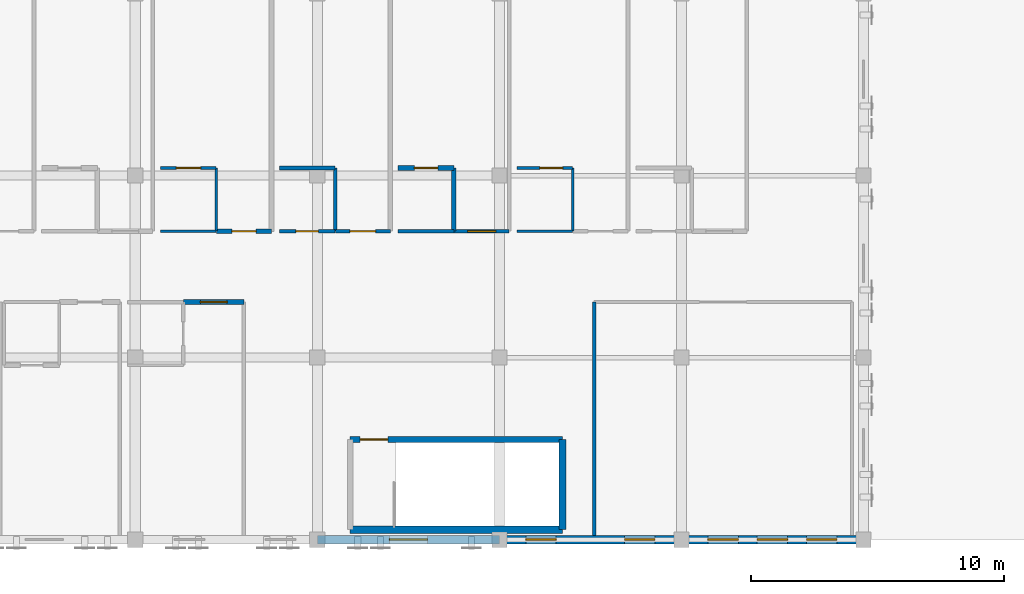
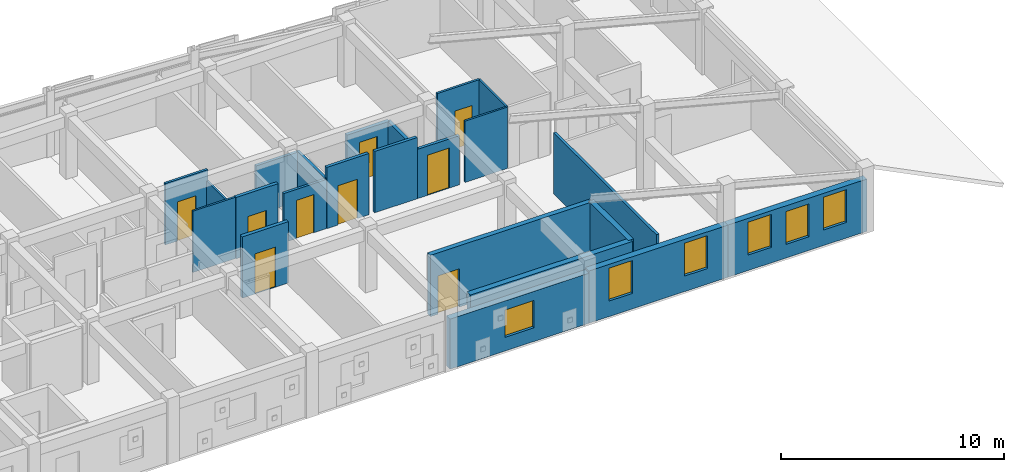
# One storey, part 40 of 45: 23 walls, 9 doors, 6 windows, 15 openings.
"""IFC4 building model written with IfcOpenShell, lengths in metres."""

from ifc_helpers import new_model, si_unit, direction, frame, frame_2d, origin, place, context, subcontext, project, spatial, rectangle, extrude, material, layer, layer_set, type_object, element, fill, save


model = new_model("IFC4")

# Units and contexts
model_context = context("Model", 3, precision=1e-05, world=origin(), true_north=direction((0.0, 1.0)))
body_context = subcontext(model_context, "Body", "Model", "MODEL_VIEW")
ifc_project = project(units=[si_unit("LENGTHUNIT", "METRE"), si_unit("AREAUNIT", "SQUARE_METRE"), si_unit("VOLUMEUNIT", "CUBIC_METRE"), si_unit("PLANEANGLEUNIT", "RADIAN"), si_unit("MASSUNIT", "GRAM", prefix="KILO")], contexts=[model_context])

# Site, building, storey
site_placement = place(None, origin())
site = spatial("IfcSite", under=ifc_project, at=site_placement, CompositionType="ELEMENT")
building_placement = place(site_placement, origin())
building = spatial("IfcBuilding", under=site, at=building_placement, Name="Carrowvane Square Congress Hotel", CompositionType="ELEMENT")
storey_placement = place(building_placement, frame((0.0, 0.0, 33.60009765625)))
storey = spatial("IfcBuildingStorey", under=building, at=storey_placement, Name="L08", CompositionType="ELEMENT", Elevation=33.60009765625)

# Wall, openings, windows
ifc_material_1 = material(Name="Glazed terracotta rainscreen", Category="masonry")
ifc_layer_1 = layer(ifc_material_1, 0.330078125)
ifc_layer_set_1 = layer_set([ifc_layer_1], Name="Glazed terracotta rainscreen")
wall_type_1 = type_object("IfcWallType", Name="WL-EXT-TC330", PredefinedType="STANDARD", material=ifc_layer_set_1)
wall_1_placement = place(storey_placement, frame((155.60009765625, 91.800048828125, 0.0), z_axis=(0.0, 0.0, 1.0), x_axis=(-1.0, 0.0, 0.0)))
wall_1 = element("IfcWall", 1, at=wall_1_placement, inside=storey, type_object=wall_type_1, Name="L08 exterior facade wall 540", PredefinedType="STANDARD", context=body_context, shape_type="SweptSolid", body=[
    extrude(rectangle(XDim=7.2001953125, YDim=0.330078125, at=frame_2d((3.60009765625, 0.0))), origin(), (0.0, 0.0, 1.0), 2.860107421875),
])
opening_1_placement = place(wall_1_placement, frame((3.0, 0.0, 0.75)))
opening_1 = element("IfcOpeningElement", 2, at=opening_1_placement, cuts=wall_1, Name="Opening W-01", PredefinedType="OPENING", context=body_context, shape_type="SweptSolid", body=[
    extrude(rectangle(XDim=1.199951171875, YDim=1.800048828125, at=frame_2d((0.60009765625, 0.89990234375))), frame((0.0, 0.175048828125, 0.0), z_axis=(0.0, -1.0, 0.0), x_axis=(1.0, 0.0, 0.0)), (0.0, 0.0, 1.0), 0.35009765625),
])
opening_2_placement = place(wall_1_placement, frame((1.050048828125, 0.0, 0.85009765625)))
opening_2 = element("IfcOpeningElement", 3, at=opening_2_placement, cuts=wall_1, Name="Opening W-01", PredefinedType="OPENING", context=body_context, shape_type="SweptSolid", body=[
    extrude(rectangle(XDim=1.199951171875, YDim=1.800048828125, at=frame_2d((0.60009765625, 0.89990234375))), frame((0.0, 0.175048828125, 0.0), z_axis=(0.0, -1.0, 0.0), x_axis=(1.0, 0.0, 0.0)), (0.0, 0.0, 1.0), 0.35009765625),
])
opening_3_placement = place(wall_1_placement, frame((4.949951171875, 0.0, 0.85009765625)))
opening_3 = element("IfcOpeningElement", 4, at=opening_3_placement, cuts=wall_1, Name="Opening W-01", PredefinedType="OPENING", context=body_context, shape_type="SweptSolid", body=[
    extrude(rectangle(XDim=1.199951171875, YDim=1.800048828125, at=frame_2d((0.60009765625, 0.89990234375))), frame((0.0, 0.175048828125, 0.0), z_axis=(0.0, -1.0, 0.0), x_axis=(1.0, 0.0, 0.0)), (0.0, 0.0, 1.0), 0.35009765625),
])
ifc_material_2 = material(Name="Double-glazed low-E glass", Category="glass")
window_type_1 = type_object("IfcWindowType", Name="WIN-01", PartitioningType="SINGLE_PANEL", PredefinedType="WINDOW", material=ifc_material_2)
window_1_placement = place(opening_1_placement, origin())
window_1 = element("IfcWindow", 5, at=window_1_placement, inside=storey, type_object=window_type_1, Name="L08 facade window 377", OverallHeight=1.800048828125, OverallWidth=1.199951171875, PartitioningType="SINGLE_PANEL", PredefinedType="WINDOW", context=body_context, shape_type="SweptSolid", body=[
    extrude(rectangle(XDim=1.199951171875, YDim=1.800048828125, at=frame_2d((0.60009765625, 0.89990234375))), frame((0.0, 0.030029296875, 0.0), z_axis=(0.0, -1.0, 0.0), x_axis=(1.0, 0.0, 0.0)), (0.0, 0.0, 1.0), 0.06005859375),
])
fill(opening_1, window_1)
window_2_placement = place(opening_2_placement, origin())
window_2 = element("IfcWindow", 6, at=window_2_placement, inside=storey, type_object=window_type_1, Name="L08 guest bedroom window 378", OverallHeight=1.800048828125, OverallWidth=1.199951171875, PartitioningType="SINGLE_PANEL", PredefinedType="WINDOW", context=body_context, shape_type="SweptSolid", body=[
    extrude(rectangle(XDim=1.199951171875, YDim=1.800048828125, at=frame_2d((0.60009765625, 0.89990234375))), frame((0.0, 0.030029296875, 0.0), z_axis=(0.0, -1.0, 0.0), x_axis=(1.0, 0.0, 0.0)), (0.0, 0.0, 1.0), 0.06005859375),
])
fill(opening_2, window_2)
window_3_placement = place(opening_3_placement, origin())
window_3 = element("IfcWindow", 7, at=window_3_placement, inside=storey, type_object=window_type_1, Name="L08 guest bedroom window 379", OverallHeight=1.800048828125, OverallWidth=1.199951171875, PartitioningType="SINGLE_PANEL", PredefinedType="WINDOW", context=body_context, shape_type="SweptSolid", body=[
    extrude(rectangle(XDim=1.199951171875, YDim=1.800048828125, at=frame_2d((0.60009765625, 0.89990234375))), frame((0.0, 0.030029296875, 0.0), z_axis=(0.0, -1.0, 0.0), x_axis=(1.0, 0.0, 0.0)), (0.0, 0.0, 1.0), 0.06005859375),
])
fill(opening_3, window_3)

wall_2_placement = place(storey_placement, frame((148.39990234375, 91.800048828125, 0.0), z_axis=(0.0, 0.0, 1.0), x_axis=(-1.0, 0.0, 0.0)))
wall_2 = element("IfcWall", 8, at=wall_2_placement, inside=storey, type_object=wall_type_1, Name="L08 exterior facade wall 541", PredefinedType="STANDARD", context=body_context, shape_type="SweptSolid", body=[
    extrude(rectangle(XDim=7.199951171875, YDim=0.330078125, at=frame_2d((3.60009765625, 0.0))), origin(), (0.0, 0.0, 1.0), 2.860107421875),
])
opening_4_placement = place(wall_2_placement, frame((1.050048828125, 0.0, 0.85009765625)))
opening_4 = element("IfcOpeningElement", 9, at=opening_4_placement, cuts=wall_2, Name="Opening W-01", PredefinedType="OPENING", context=body_context, shape_type="SweptSolid", body=[
    extrude(rectangle(XDim=1.199951171875, YDim=1.800048828125, at=frame_2d((0.60009765625, 0.89990234375))), frame((0.0, 0.175048828125, 0.0), z_axis=(0.0, -1.0, 0.0), x_axis=(1.0, 0.0, 0.0)), (0.0, 0.0, 1.0), 0.35009765625),
])
opening_5_placement = place(wall_2_placement, frame((4.949951171875, 0.0, 0.85009765625)))
opening_5 = element("IfcOpeningElement", 10, at=opening_5_placement, cuts=wall_2, Name="Opening W-01", PredefinedType="OPENING", context=body_context, shape_type="SweptSolid", body=[
    extrude(rectangle(XDim=1.199951171875, YDim=1.800048828125, at=frame_2d((0.60009765625, 0.89990234375))), frame((0.0, 0.175048828125, 0.0), z_axis=(0.0, -1.0, 0.0), x_axis=(1.0, 0.0, 0.0)), (0.0, 0.0, 1.0), 0.35009765625),
])
window_4_placement = place(opening_4_placement, origin())
window_4 = element("IfcWindow", 11, at=window_4_placement, inside=storey, type_object=window_type_1, Name="L08 guest bedroom window 381", OverallHeight=1.800048828125, OverallWidth=1.199951171875, PartitioningType="SINGLE_PANEL", PredefinedType="WINDOW", context=body_context, shape_type="SweptSolid", body=[
    extrude(rectangle(XDim=1.199951171875, YDim=1.800048828125, at=frame_2d((0.60009765625, 0.89990234375))), frame((0.0, 0.030029296875, 0.0), z_axis=(0.0, -1.0, 0.0), x_axis=(1.0, 0.0, 0.0)), (0.0, 0.0, 1.0), 0.06005859375),
])
fill(opening_4, window_4)
window_5_placement = place(opening_5_placement, origin())
window_5 = element("IfcWindow", 12, at=window_5_placement, inside=storey, type_object=window_type_1, Name="L08 guest bedroom window 382", OverallHeight=1.800048828125, OverallWidth=1.199951171875, PartitioningType="SINGLE_PANEL", PredefinedType="WINDOW", context=body_context, shape_type="SweptSolid", body=[
    extrude(rectangle(XDim=1.199951171875, YDim=1.800048828125, at=frame_2d((0.60009765625, 0.89990234375))), frame((0.0, 0.030029296875, 0.0), z_axis=(0.0, -1.0, 0.0), x_axis=(1.0, 0.0, 0.0)), (0.0, 0.0, 1.0), 0.06005859375),
])
fill(opening_5, window_5)

# Wall, opening, window
wall_3_placement = place(storey_placement, frame((141.199951171875, 91.800048828125, 0.0), z_axis=(0.0, 0.0, 1.0), x_axis=(-1.0, 0.0, 0.0)))
wall_3 = element("IfcWall", 13, at=wall_3_placement, inside=storey, type_object=wall_type_1, Name="L08 exterior facade wall 542", PredefinedType="STANDARD", context=body_context, shape_type="SweptSolid", body=[
    extrude(rectangle(XDim=7.199951171875, YDim=0.330078125, at=frame_2d((3.60009765625, 0.0))), origin(), (0.0, 0.0, 1.0), 2.744873046875),
])
opening_6_placement = place(wall_3_placement, frame((2.85009765625, 0.0, 0.75)))
opening_6 = element("IfcOpeningElement", 14, at=opening_6_placement, cuts=wall_3, Name="Opening W-15", PredefinedType="OPENING", context=body_context, shape_type="SweptSolid", body=[
    extrude(rectangle(XDim=1.5, YDim=1.5, at=frame_2d((0.75, 0.75))), frame((0.0, 0.175048828125, 0.0), z_axis=(0.0, -1.0, 0.0), x_axis=(1.0, 0.0, 0.0)), (0.0, 0.0, 1.0), 0.35009765625),
])
ifc_material_3 = material(Name="Double-glazed low-E glass", Category="glass")
window_type_2 = type_object("IfcWindowType", Name="WIN-15", PartitioningType="SINGLE_PANEL", PredefinedType="WINDOW", material=ifc_material_3)
window_6_placement = place(opening_6_placement, origin())
window_6 = element("IfcWindow", 15, at=window_6_placement, inside=storey, type_object=window_type_2, Name="L08 facade window 383", OverallHeight=1.5, OverallWidth=1.5, PartitioningType="SINGLE_PANEL", PredefinedType="WINDOW", context=body_context, shape_type="SweptSolid", body=[
    extrude(rectangle(XDim=1.5, YDim=1.5, at=frame_2d((0.75, 0.75))), frame((0.0, 0.030029296875, 0.0), z_axis=(0.0, -1.0, 0.0), x_axis=(1.0, 0.0, 0.0)), (0.0, 0.0, 1.0), 0.06005859375),
])
fill(opening_6, window_6)

# Wall, opening, door
ifc_material_4 = material(Name="Acoustic gypsum board", Category="gypsum")
ifc_layer_2 = layer(ifc_material_4, 0.155029296875)
ifc_layer_set_2 = layer_set([ifc_layer_2], Name="Acoustic gypsum board")
wall_type_2 = type_object("IfcWallType", Name="WL-FIR-155", PredefinedType="PARTITIONING", material=ifc_layer_set_2)
wall_4_placement = place(storey_placement, frame((136.889892578125, 104.0, 0.0), z_axis=(0.0, 0.0, 1.0), x_axis=(-1.0, 0.0, 0.0)))
wall_4 = element("IfcWall", 16, at=wall_4_placement, inside=storey, type_object=wall_type_2, Name="L08 Parkview Guest Bedroom 0824 partition", PredefinedType="PARTITIONING", context=body_context, shape_type="SweptSolid", body=[
    extrude(rectangle(XDim=2.179931640625, YDim=0.155029296875, at=frame_2d((1.08984375, 0.0))), origin(), (0.0, 0.0, 1.0), 3.35986328125),
])
opening_7_placement = place(wall_4_placement, frame((0.580078125, 0.0, 0.0)))
opening_7 = element("IfcOpeningElement", 17, at=opening_7_placement, cuts=wall_4, Name="Opening FD-08", PredefinedType="OPENING", context=body_context, shape_type="SweptSolid", body=[
    extrude(rectangle(XDim=1.02001953125, YDim=2.14990234375, at=frame_2d((0.510009765625, 1.074951171875))), frame((0.0, 0.08740234375, 0.0), z_axis=(0.0, -1.0, 0.0), x_axis=(1.0, 0.0, 0.0)), (0.0, 0.0, 1.0), 0.175048828125),
])
ifc_material_5 = material(Name="European oak timber", Category="wood")
door_type_1 = type_object("IfcDoorType", Name="DR-FD30-1020x2150", OperationType="NOTDEFINED", PredefinedType="DOOR", material=ifc_material_5)
door_1_placement = place(opening_7_placement, origin())
door_1 = element("IfcDoor", 18, at=door_1_placement, inside=storey, type_object=door_type_1, Name="L08 Parkview Guest Bedroom 0824 entrance door", OperationType="SINGLE_SWING_RIGHT", OverallHeight=2.14990234375, OverallWidth=1.02001953125, PredefinedType="DOOR", context=body_context, shape_type="SweptSolid", body=[
    extrude(rectangle(XDim=1.02001953125, YDim=2.14990234375, at=frame_2d((0.510009765625, 1.074951171875))), frame((0.0, 0.02490234375, 0.0), z_axis=(0.0, -1.0, 0.0), x_axis=(1.0, 0.0, 0.0)), (0.0, 0.0, 1.0), 0.050048828125),
])
fill(opening_7, door_1)

# Wall
wall_5_placement = place(storey_placement, frame((139.39990234375, 104.0, 0.0), z_axis=(0.0, 0.0, 1.0), x_axis=(-1.0, 0.0, 0.0)))
element("IfcWall", 19, at=wall_5_placement, inside=storey, type_object=wall_type_2, Name="L08 En-suite Bathroom 0825 partition", PredefinedType="PARTITIONING", context=body_context, shape_type="SweptSolid", body=[
    extrude(rectangle(XDim=2.199951171875, YDim=0.155029296875, at=frame_2d((1.10009765625, 0.0))), origin(), (0.0, 0.0, 1.0), 3.35986328125),
])

# Wall, opening, door
ifc_material_6 = material(Name="Acoustic gypsum board", Category="gypsum")
ifc_layer_3 = layer(ifc_material_6, 0.169921875)
ifc_layer_set_3 = layer_set([ifc_layer_3], Name="Acoustic gypsum board")
wall_type_3 = type_object("IfcWallType", Name="WL-FIR-170", PredefinedType="PARTITIONING", material=ifc_layer_set_3)
wall_6_placement = place(storey_placement, frame((132.18994140625, 104.0, 0.0), z_axis=(0.0, 0.0, 1.0), x_axis=(-1.0, 0.0, 0.0)))
wall_6 = element("IfcWall", 20, at=wall_6_placement, inside=storey, type_object=wall_type_3, Name="L08 Parkview Guest Bedroom 0823 partition", PredefinedType="PARTITIONING", context=body_context, shape_type="SweptSolid", body=[
    extrude(rectangle(XDim=2.179931640625, YDim=0.169921875, at=frame_2d((1.08984375, 0.0))), origin(), (0.0, 0.0, 1.0), 3.35986328125),
])
opening_8_placement = place(wall_6_placement, frame((0.614990234375, 0.0, 0.0)))
opening_8 = element("IfcOpeningElement", 21, at=opening_8_placement, cuts=wall_6, Name="Opening FD-06", PredefinedType="OPENING", context=body_context, shape_type="SweptSolid", body=[
    extrude(rectangle(XDim=0.949951171875, YDim=2.10009765625, at=frame_2d((0.47509765625, 1.050048828125))), frame((0.0, 0.094970703125, 0.0), z_axis=(0.0, -1.0, 0.0), x_axis=(1.0, 0.0, 0.0)), (0.0, 0.0, 1.0), 0.18994140625),
])
ifc_material_7 = material(Name="European oak timber", Category="wood")
door_type_2 = type_object("IfcDoorType", Name="DR-FD30-0950x2100", OperationType="NOTDEFINED", PredefinedType="DOOR", material=ifc_material_7)
door_2_placement = place(opening_8_placement, origin())
door_2 = element("IfcDoor", 22, at=door_2_placement, inside=storey, type_object=door_type_2, Name="L08 Parkview Guest Bedroom 0823 entrance door", OperationType="SINGLE_SWING_RIGHT", OverallHeight=2.10009765625, OverallWidth=0.949951171875, PredefinedType="DOOR", context=body_context, shape_type="SweptSolid", body=[
    extrude(rectangle(XDim=0.949951171875, YDim=2.10009765625, at=frame_2d((0.47509765625, 1.050048828125))), frame((0.0, 0.02490234375, 0.0), z_axis=(0.0, -1.0, 0.0), x_axis=(1.0, 0.0, 0.0)), (0.0, 0.0, 1.0), 0.050048828125),
])
fill(opening_8, door_2)

# Wall
wall_7_placement = place(storey_placement, frame((139.39990234375, 106.5, 0.0), z_axis=(0.0, 0.0, 1.0), x_axis=(0.0, -1.0, 0.0)))
element("IfcWall", 23, at=wall_7_placement, inside=storey, type_object=wall_type_3, Name="L08 En-suite Bathroom 0825 partition", PredefinedType="PARTITIONING", context=body_context, shape_type="SweptSolid", body=[
    extrude(rectangle(XDim=2.5, YDim=0.169921875, at=frame_2d((1.25, 0.0))), origin(), (0.0, 0.0, 1.0), 2.744873046875),
])

# Wall, opening, door
ifc_material_8 = material(Name="Acoustic gypsum board", Category="gypsum")
ifc_layer_4 = layer(ifc_material_8, 0.18505859375)
ifc_layer_set_4 = layer_set([ifc_layer_4], Name="Acoustic gypsum board")
wall_type_4 = type_object("IfcWallType", Name="WL-FIR-185", PredefinedType="PARTITIONING", material=ifc_layer_set_4)
wall_8_placement = place(storey_placement, frame((128.7099609375, 101.199951171875, 0.0), z_axis=(0.0, 0.0, 1.0), x_axis=(1.0, 0.0, 0.0)))
wall_8 = element("IfcWall", 24, at=wall_8_placement, inside=storey, type_object=wall_type_4, Name="L08 Hotel Guest Bedroom 0807 partition", PredefinedType="PARTITIONING", context=body_context, shape_type="SweptSolid", body=[
    extrude(rectangle(XDim=2.380126953125, YDim=0.18505859375, at=frame_2d((1.18994140625, 0.0))), origin(), (0.0, 0.0, 1.0), 3.35986328125),
])
opening_9_placement = place(wall_8_placement, frame((0.659912109375, 0.0, 0.0)))
opening_9 = element("IfcOpeningElement", 25, at=opening_9_placement, cuts=wall_8, Name="Opening FD-09", PredefinedType="OPENING", context=body_context, shape_type="SweptSolid", body=[
    extrude(rectangle(XDim=1.06005859375, YDim=2.199951171875, at=frame_2d((0.530029296875, 1.10009765625))), frame((0.0, 0.1025390625, 0.0), z_axis=(0.0, -1.0, 0.0), x_axis=(1.0, 0.0, 0.0)), (0.0, 0.0, 1.0), 0.205078125),
])
ifc_material_9 = material(Name="European oak timber", Category="wood")
door_type_3 = type_object("IfcDoorType", Name="DR-FD30-1060x2200", OperationType="NOTDEFINED", PredefinedType="DOOR", material=ifc_material_9)
door_3_placement = place(opening_9_placement, origin())
door_3 = element("IfcDoor", 26, at=door_3_placement, inside=storey, type_object=door_type_3, Name="L08 Hotel Guest Bedroom 0807 entrance door", OperationType="SINGLE_SWING_RIGHT", OverallHeight=2.199951171875, OverallWidth=1.06005859375, PredefinedType="DOOR", context=body_context, shape_type="SweptSolid", body=[
    extrude(rectangle(XDim=1.06005859375, YDim=2.199951171875, at=frame_2d((0.530029296875, 1.10009765625))), frame((0.0, 0.02490234375, 0.0), z_axis=(0.0, -1.0, 0.0), x_axis=(1.0, 0.0, 0.0)), (0.0, 0.0, 1.0), 0.050048828125),
])
fill(opening_9, door_3)

wall_9_placement = place(storey_placement, frame((137.199951171875, 106.5, 0.0), z_axis=(0.0, 0.0, 1.0), x_axis=(1.0, 0.0, 0.0)))
wall_9 = element("IfcWall", 27, at=wall_9_placement, inside=storey, type_object=wall_type_4, Name="L08 En-suite Bathroom 0825 partition", PredefinedType="PARTITIONING", context=body_context, shape_type="SweptSolid", body=[
    extrude(rectangle(XDim=2.199951171875, YDim=0.18505859375, at=frame_2d((1.10009765625, 0.0))), origin(), (0.0, 0.0, 1.0), 2.744873046875),
])
opening_10_placement = place(wall_9_placement, frame((0.635009765625, 0.0, 0.0)))
opening_10 = element("IfcOpeningElement", 28, at=opening_10_placement, cuts=wall_9, Name="Opening ID-18", PredefinedType="OPENING", context=body_context, shape_type="SweptSolid", body=[
    extrude(rectangle(XDim=0.929931640625, YDim=2.1298828125, at=frame_2d((0.46484375, 1.06494140625))), frame((0.0, 0.1025390625, 0.0), z_axis=(0.0, -1.0, 0.0), x_axis=(1.0, 0.0, 0.0)), (0.0, 0.0, 1.0), 0.205078125),
])
ifc_material_10 = material(Name="European oak timber", Category="wood")
door_type_4 = type_object("IfcDoorType", Name="DR-INT-0930x2130", OperationType="NOTDEFINED", PredefinedType="DOOR", material=ifc_material_10)
door_4_placement = place(opening_10_placement, origin())
door_4 = element("IfcDoor", 29, at=door_4_placement, inside=storey, type_object=door_type_4, Name="L08 En-suite Bathroom 0825 door", OperationType="SINGLE_SWING_LEFT", OverallHeight=2.1298828125, OverallWidth=0.929931640625, PredefinedType="DOOR", context=body_context, shape_type="SweptSolid", body=[
    extrude(rectangle(XDim=0.929931640625, YDim=2.1298828125, at=frame_2d((0.46484375, 1.06494140625))), frame((0.0, 0.02490234375, 0.0), z_axis=(0.0, -1.0, 0.0), x_axis=(1.0, 0.0, 0.0)), (0.0, 0.0, 1.0), 0.050048828125),
])
fill(opening_10, door_4)

# Walls
ifc_material_11 = material(Name="Acoustic gypsum board", Category="gypsum")
ifc_layer_5 = layer(ifc_material_11, 0.097900390625)
ifc_layer_set_5 = layer_set([ifc_layer_5], Name="Acoustic gypsum board")
wall_type_5 = type_object("IfcWallType", Name="WL-PRT-098", PredefinedType="PARTITIONING", material=ifc_layer_set_5)
wall_10_placement = place(storey_placement, frame((130.0, 104.0, 0.0), z_axis=(0.0, 0.0, 1.0), x_axis=(-1.0, 0.0, 0.0)))
element("IfcWall", 30, at=wall_10_placement, inside=storey, type_object=wall_type_5, Name="L08 En-suite Bathroom 0823 partition", PredefinedType="PARTITIONING", context=body_context, shape_type="SweptSolid", body=[
    extrude(rectangle(XDim=2.199951171875, YDim=0.097900390625, at=frame_2d((1.10009765625, 0.0))), origin(), (0.0, 0.0, 1.0), 3.35986328125),
])
wall_11_placement = place(storey_placement, frame((144.10009765625, 104.0, 0.0), z_axis=(0.0, 0.0, 1.0), x_axis=(-1.0, 0.0, 0.0)))
element("IfcWall", 31, at=wall_11_placement, inside=storey, type_object=wall_type_5, Name="L08 En-suite Bathroom 0826 partition", PredefinedType="PARTITIONING", context=body_context, shape_type="SweptSolid", body=[
    extrude(rectangle(XDim=2.2001953125, YDim=0.097900390625, at=frame_2d((1.10009765625, 0.0))), origin(), (0.0, 0.0, 1.0), 3.35986328125),
])
ifc_material_12 = material(Name="Acoustic gypsum board", Category="gypsum")
ifc_layer_6 = layer(ifc_material_12, 0.10791015625)
ifc_layer_set_6 = layer_set([ifc_layer_6], Name="Acoustic gypsum board")
wall_type_6 = type_object("IfcWallType", Name="WL-PRT-108", PredefinedType="PARTITIONING", material=ifc_layer_set_6)
wall_12_placement = place(storey_placement, frame((130.0, 106.5, 0.0), z_axis=(0.0, 0.0, 1.0), x_axis=(0.0, -1.0, 0.0)))
element("IfcWall", 32, at=wall_12_placement, inside=storey, type_object=wall_type_6, Name="L08 En-suite Bathroom 0823 partition", PredefinedType="PARTITIONING", context=body_context, shape_type="SweptSolid", body=[
    extrude(rectangle(XDim=2.5, YDim=0.10791015625, at=frame_2d((1.25, 0.0))), origin(), (0.0, 0.0, 1.0), 2.744873046875),
])
wall_13_placement = place(storey_placement, frame((144.10009765625, 106.5, 0.0), z_axis=(0.0, 0.0, 1.0), x_axis=(0.0, -1.0, 0.0)))
element("IfcWall", 33, at=wall_13_placement, inside=storey, type_object=wall_type_6, Name="L08 En-suite Bathroom 0826 partition", PredefinedType="PARTITIONING", context=body_context, shape_type="SweptSolid", body=[
    extrude(rectangle(XDim=2.5, YDim=0.10791015625, at=frame_2d((1.25, 0.0))), origin(), (0.0, 0.0, 1.0), 3.35986328125),
])

# Wall, opening, door
ifc_material_13 = material(Name="Acoustic gypsum board", Category="gypsum")
ifc_layer_7 = layer(ifc_material_13, 0.117919921875)
ifc_layer_set_7 = layer_set([ifc_layer_7], Name="Acoustic gypsum board")
wall_type_7 = type_object("IfcWallType", Name="WL-PRT-118", PredefinedType="PARTITIONING", material=ifc_layer_set_7)
wall_14_placement = place(storey_placement, frame((127.800048828125, 106.5, 0.0), z_axis=(0.0, 0.0, 1.0), x_axis=(1.0, 0.0, 0.0)))
wall_14 = element("IfcWall", 34, at=wall_14_placement, inside=storey, type_object=wall_type_7, Name="L08 En-suite Bathroom 0823 partition", PredefinedType="PARTITIONING", context=body_context, shape_type="SweptSolid", body=[
    extrude(rectangle(XDim=2.199951171875, YDim=0.117919921875, at=frame_2d((1.10009765625, 0.0))), origin(), (0.0, 0.0, 1.0), 3.35986328125),
])
opening_11_placement = place(wall_14_placement, frame((0.6201171875, 0.0, 0.0)))
opening_11 = element("IfcOpeningElement", 35, at=opening_11_placement, cuts=wall_14, Name="Opening ID-05", PredefinedType="OPENING", context=body_context, shape_type="SweptSolid", body=[
    extrude(rectangle(XDim=0.9599609375, YDim=2.139892578125, at=frame_2d((0.47998046875, 1.06982421875))), frame((0.0, 0.06884765625, 0.0), z_axis=(0.0, -1.0, 0.0), x_axis=(1.0, 0.0, 0.0)), (0.0, 0.0, 1.0), 0.137939453125),
])
ifc_material_14 = material(Name="European oak timber", Category="wood")
door_type_5 = type_object("IfcDoorType", Name="DR-INT-0960x2140", OperationType="NOTDEFINED", PredefinedType="DOOR", material=ifc_material_14)
door_5_placement = place(opening_11_placement, origin())
door_5 = element("IfcDoor", 36, at=door_5_placement, inside=storey, type_object=door_type_5, Name="L08 En-suite Bathroom 0823 door", OperationType="SINGLE_SWING_LEFT", OverallHeight=2.139892578125, OverallWidth=0.9599609375, PredefinedType="DOOR", context=body_context, shape_type="SweptSolid", body=[
    extrude(rectangle(XDim=0.9599609375, YDim=2.139892578125, at=frame_2d((0.47998046875, 1.06982421875))), frame((0.0, 0.02490234375, 0.0), z_axis=(0.0, -1.0, 0.0), x_axis=(1.0, 0.0, 0.0)), (0.0, 0.0, 1.0), 0.050048828125),
])
fill(opening_11, door_5)

wall_15_placement = place(storey_placement, frame((141.89990234375, 106.5, 0.0), z_axis=(0.0, 0.0, 1.0), x_axis=(1.0, 0.0, 0.0)))
wall_15 = element("IfcWall", 37, at=wall_15_placement, inside=storey, type_object=wall_type_7, Name="L08 En-suite Bathroom 0826 partition", PredefinedType="PARTITIONING", context=body_context, shape_type="SweptSolid", body=[
    extrude(rectangle(XDim=2.2001953125, YDim=0.117919921875, at=frame_2d((1.10009765625, 0.0))), origin(), (0.0, 0.0, 1.0), 3.35986328125),
])
opening_12_placement = place(wall_15_placement, frame((0.89990234375, 0.0, 0.0)))
opening_12 = element("IfcOpeningElement", 38, at=opening_12_placement, cuts=wall_15, Name="Opening ID-02", PredefinedType="OPENING", context=body_context, shape_type="SweptSolid", body=[
    extrude(rectangle(XDim=0.89990234375, YDim=2.080078125, at=frame_2d((0.449951171875, 1.0400390625))), frame((0.0, 0.06884765625, 0.0), z_axis=(0.0, -1.0, 0.0), x_axis=(1.0, 0.0, 0.0)), (0.0, 0.0, 1.0), 0.137939453125),
])
ifc_material_15 = material(Name="European oak timber", Category="wood")
door_type_6 = type_object("IfcDoorType", Name="DR-INT-0900x2080", OperationType="NOTDEFINED", PredefinedType="DOOR", material=ifc_material_15)
door_6_placement = place(opening_12_placement, origin())
door_6 = element("IfcDoor", 39, at=door_6_placement, inside=storey, type_object=door_type_6, Name="L08 En-suite Bathroom 0826 door", OperationType="SINGLE_SWING_LEFT", OverallHeight=2.080078125, OverallWidth=0.89990234375, PredefinedType="DOOR", context=body_context, shape_type="SweptSolid", body=[
    extrude(rectangle(XDim=0.89990234375, YDim=2.080078125, at=frame_2d((0.449951171875, 1.0400390625))), frame((0.0, 0.02490234375, 0.0), z_axis=(0.0, -1.0, 0.0), x_axis=(1.0, 0.0, 0.0)), (0.0, 0.0, 1.0), 0.050048828125),
])
fill(opening_12, door_6)

ifc_material_16 = material(Name="Acoustic gypsum board", Category="gypsum")
ifc_layer_8 = layer(ifc_material_16, 0.1279296875)
ifc_layer_set_8 = layer_set([ifc_layer_8], Name="Acoustic gypsum board")
wall_type_8 = type_object("IfcWallType", Name="WL-PRT-128", PredefinedType="PARTITIONING", material=ifc_layer_set_8)
wall_16_placement = place(storey_placement, frame((134.699951171875, 104.0, 0.0), z_axis=(0.0, 0.0, 1.0), x_axis=(-1.0, 0.0, 0.0)))
wall_16 = element("IfcWall", 40, at=wall_16_placement, inside=storey, type_object=wall_type_8, Name="L08 En-suite Bathroom 0824 partition", PredefinedType="PARTITIONING", context=body_context, shape_type="SweptSolid", body=[
    extrude(rectangle(XDim=2.199951171875, YDim=0.1279296875, at=frame_2d((1.10009765625, 0.0))), origin(), (0.0, 0.0, 1.0), 2.69482421875),
])
opening_13_placement = place(wall_16_placement, frame((0.655029296875, 0.0, 0.0)))
opening_13 = element("IfcOpeningElement", 41, at=opening_13_placement, cuts=wall_16, Name="Opening ID-16", PredefinedType="OPENING", context=body_context, shape_type="SweptSolid", body=[
    extrude(rectangle(XDim=0.889892578125, YDim=2.090087890625, at=frame_2d((0.44482421875, 1.044921875))), frame((0.0, 0.073974609375, 0.0), z_axis=(0.0, -1.0, 0.0), x_axis=(1.0, 0.0, 0.0)), (0.0, 0.0, 1.0), 0.14794921875),
])
ifc_material_17 = material(Name="European oak timber", Category="wood")
door_type_7 = type_object("IfcDoorType", Name="DR-INT-0890x2090", OperationType="NOTDEFINED", PredefinedType="DOOR", material=ifc_material_17)
door_7_placement = place(opening_13_placement, origin())
door_7 = element("IfcDoor", 42, at=door_7_placement, inside=storey, type_object=door_type_7, Name="L08 En-suite Bathroom 0824 door", OperationType="SINGLE_SWING_LEFT", OverallHeight=2.090087890625, OverallWidth=0.889892578125, PredefinedType="DOOR", context=body_context, shape_type="SweptSolid", body=[
    extrude(rectangle(XDim=0.889892578125, YDim=2.090087890625, at=frame_2d((0.44482421875, 1.044921875))), frame((0.0, 0.02490234375, 0.0), z_axis=(0.0, -1.0, 0.0), x_axis=(1.0, 0.0, 0.0)), (0.0, 0.0, 1.0), 0.050048828125),
])
fill(opening_13, door_7)

# Walls
ifc_material_18 = material(Name="Acoustic gypsum board", Category="gypsum")
ifc_layer_9 = layer(ifc_material_18, 0.137939453125)
ifc_layer_set_9 = layer_set([ifc_layer_9], Name="Acoustic gypsum board")
wall_type_9 = type_object("IfcWallType", Name="WL-PRT-138", PredefinedType="PARTITIONING", material=ifc_layer_set_9)
wall_17_placement = place(storey_placement, frame((144.949951171875, 91.9599609375, 0.0), z_axis=(0.0, 0.0, 1.0), x_axis=(0.0, 1.0, 0.0)))
element("IfcWall", 43, at=wall_17_placement, inside=storey, type_object=wall_type_9, Name="L08 L08 East Terrace Lounge partition", PredefinedType="PARTITIONING", context=body_context, shape_type="SweptSolid", body=[
    extrude(rectangle(XDim=9.239990234375, YDim=0.137939453125, at=frame_2d((4.6201171875, 0.0))), origin(), (0.0, 0.0, 1.0), 3.35986328125),
])
wall_18_placement = place(storey_placement, frame((134.699951171875, 106.5, 0.0), z_axis=(0.0, 0.0, 1.0), x_axis=(0.0, -1.0, 0.0)))
element("IfcWall", 44, at=wall_18_placement, inside=storey, type_object=wall_type_9, Name="L08 En-suite Bathroom 0824 partition", PredefinedType="PARTITIONING", context=body_context, shape_type="SweptSolid", body=[
    extrude(rectangle(XDim=2.5, YDim=0.137939453125, at=frame_2d((1.25, 0.0))), origin(), (0.0, 0.0, 1.0), 2.744873046875),
])
ifc_material_19 = material(Name="Acoustic gypsum board", Category="gypsum")
ifc_layer_10 = layer(ifc_material_19, 0.14794921875)
ifc_layer_set_10 = layer_set([ifc_layer_10], Name="Acoustic gypsum board")
wall_type_10 = type_object("IfcWallType", Name="WL-PRT-148", PredefinedType="PARTITIONING", material=ifc_layer_set_10)
wall_19_placement = place(storey_placement, frame((132.5, 106.5, 0.0), z_axis=(0.0, 0.0, 1.0), x_axis=(1.0, 0.0, 0.0)))
element("IfcWall", 45, at=wall_19_placement, inside=storey, type_object=wall_type_10, Name="L08 En-suite Bathroom 0824 partition", PredefinedType="PARTITIONING", context=body_context, shape_type="SweptSolid", body=[
    extrude(rectangle(XDim=2.199951171875, YDim=0.14794921875, at=frame_2d((1.10009765625, 0.0))), origin(), (0.0, 0.0, 1.0), 2.69482421875),
])

# Wall, opening, door
wall_20_placement = place(storey_placement, frame((141.590087890625, 104.0, 0.0), z_axis=(0.0, 0.0, 1.0), x_axis=(-1.0, 0.0, 0.0)))
wall_20 = element("IfcWall", 46, at=wall_20_placement, inside=storey, type_object=wall_type_10, Name="L08 Parkview Guest Bedroom 0825 partition", PredefinedType="PARTITIONING", context=body_context, shape_type="SweptSolid", body=[
    extrude(rectangle(XDim=2.18017578125, YDim=0.14794921875, at=frame_2d((1.090087890625, 0.0))), origin(), (0.0, 0.0, 1.0), 2.69482421875),
])
opening_14_placement = place(wall_20_placement, frame((0.530029296875, 0.0, 0.0)))
opening_14 = element("IfcOpeningElement", 47, at=opening_14_placement, cuts=wall_20, Name="Opening FD-10", PredefinedType="OPENING", context=body_context, shape_type="SweptSolid", body=[
    extrude(rectangle(XDim=1.1201171875, YDim=2.199951171875, at=frame_2d((0.56005859375, 1.10009765625))), frame((0.0, 0.083984375, 0.0), z_axis=(0.0, -1.0, 0.0), x_axis=(1.0, 0.0, 0.0)), (0.0, 0.0, 1.0), 0.16796875),
])
ifc_material_20 = material(Name="European oak timber", Category="wood")
door_type_8 = type_object("IfcDoorType", Name="DR-FD30-1120x2200", OperationType="NOTDEFINED", PredefinedType="DOOR", material=ifc_material_20)
door_8_placement = place(opening_14_placement, origin())
door_8 = element("IfcDoor", 48, at=door_8_placement, inside=storey, type_object=door_type_8, Name="L08 Parkview Guest Bedroom 0825 entrance door", OperationType="SINGLE_SWING_RIGHT", OverallHeight=2.199951171875, OverallWidth=1.1201171875, PredefinedType="DOOR", context=body_context, shape_type="SweptSolid", body=[
    extrude(rectangle(XDim=1.1201171875, YDim=2.199951171875, at=frame_2d((0.56005859375, 1.10009765625))), frame((0.0, 0.02490234375, 0.0), z_axis=(0.0, -1.0, 0.0), x_axis=(1.0, 0.0, 0.0)), (0.0, 0.0, 1.0), 0.050048828125),
])
fill(opening_14, door_8)

ifc_material_21 = material(Name="Concrete C40/50", Category="concrete")
ifc_layer_11 = layer(ifc_material_21, 0.25)
ifc_layer_set_11 = layer_set([ifc_layer_11], Name="Concrete C40/50")
wall_type_11 = type_object("IfcWallType", Name="WL-SHR-250", PredefinedType="SHEAR", material=ifc_layer_set_11)
wall_21_placement = place(storey_placement, frame((143.699951171875, 95.760009765625, 0.0), z_axis=(0.0, 0.0, 1.0), x_axis=(-1.0, 0.0, 0.0)))
wall_21 = element("IfcWall", 49, at=wall_21_placement, inside=storey, type_object=wall_type_11, Name="L08 ST12 core wall north", PredefinedType="SHEAR", context=body_context, shape_type="SweptSolid", body=[
    extrude(rectangle(XDim=8.39990234375, YDim=0.25, at=frame_2d((4.199951171875, 0.0))), origin(), (0.0, 0.0, 1.0), 3.35986328125),
])
opening_15_placement = place(wall_21_placement, frame((6.909912109375, 0.0, 0.0)))
opening_15 = element("IfcOpeningElement", 50, at=opening_15_placement, cuts=wall_21, Name="Opening FD-01", PredefinedType="OPENING", context=body_context, shape_type="SweptSolid", body=[
    extrude(rectangle(XDim=1.10009765625, YDim=2.10009765625, at=frame_2d((0.550048828125, 1.050048828125))), frame((0.0, 0.135009765625, 0.0), z_axis=(0.0, -1.0, 0.0), x_axis=(1.0, 0.0, 0.0)), (0.0, 0.0, 1.0), 0.27001953125),
])
ifc_material_22 = material(Name="European oak timber", Category="wood")
door_type_9 = type_object("IfcDoorType", Name="DR-FD60-1100x2100", OperationType="NOTDEFINED", PredefinedType="DOOR", material=ifc_material_22)
door_9_placement = place(opening_15_placement, origin())
door_9 = element("IfcDoor", 51, at=door_9_placement, inside=storey, type_object=door_type_9, Name="L08 ST12 fire door", OperationType="SINGLE_SWING_LEFT", OverallHeight=2.10009765625, OverallWidth=1.10009765625, PredefinedType="DOOR", context=body_context, shape_type="SweptSolid", body=[
    extrude(rectangle(XDim=1.10009765625, YDim=2.10009765625, at=frame_2d((0.550048828125, 1.050048828125))), frame((0.0, 0.02490234375, 0.0), z_axis=(0.0, -1.0, 0.0), x_axis=(1.0, 0.0, 0.0)), (0.0, 0.0, 1.0), 0.050048828125),
])
fill(opening_15, door_9)

# Walls
ifc_material_23 = material(Name="Concrete C40/50", Category="concrete")
ifc_layer_12 = layer(ifc_material_23, 0.27490234375)
ifc_layer_set_12 = layer_set([ifc_layer_12], Name="Concrete C40/50")
wall_type_12 = type_object("IfcWallType", Name="WL-SHR-275", PredefinedType="SHEAR", material=ifc_layer_set_12)
wall_22_placement = place(storey_placement, frame((143.699951171875, 92.199951171875, 0.0), z_axis=(0.0, 0.0, 1.0), x_axis=(0.0, 1.0, 0.0)))
element("IfcWall", 52, at=wall_22_placement, inside=storey, type_object=wall_type_12, Name="L08 ST12 core wall east", PredefinedType="SHEAR", context=body_context, shape_type="SweptSolid", body=[
    extrude(rectangle(XDim=3.56005859375, YDim=0.27490234375, at=frame_2d((1.780029296875, 0.0))), origin(), (0.0, 0.0, 1.0), 3.35986328125),
])
ifc_material_24 = material(Name="Concrete C40/50", Category="concrete")
ifc_layer_13 = layer(ifc_material_24, 0.300048828125)
ifc_layer_set_13 = layer_set([ifc_layer_13], Name="Concrete C40/50")
wall_type_13 = type_object("IfcWallType", Name="WL-SHR-300", PredefinedType="SHEAR", material=ifc_layer_set_13)
wall_23_placement = place(storey_placement, frame((135.300048828125, 92.199951171875, 0.0), z_axis=(0.0, 0.0, 1.0), x_axis=(1.0, 0.0, 0.0)))
element("IfcWall", 53, at=wall_23_placement, inside=storey, type_object=wall_type_13, Name="L08 ST12 core wall south", PredefinedType="SHEAR", context=body_context, shape_type="SweptSolid", body=[
    extrude(rectangle(XDim=8.39990234375, YDim=0.300048828125, at=frame_2d((4.199951171875, 0.0))), origin(), (0.0, 0.0, 1.0), 3.35986328125),
])

save(model, "model.ifc")
